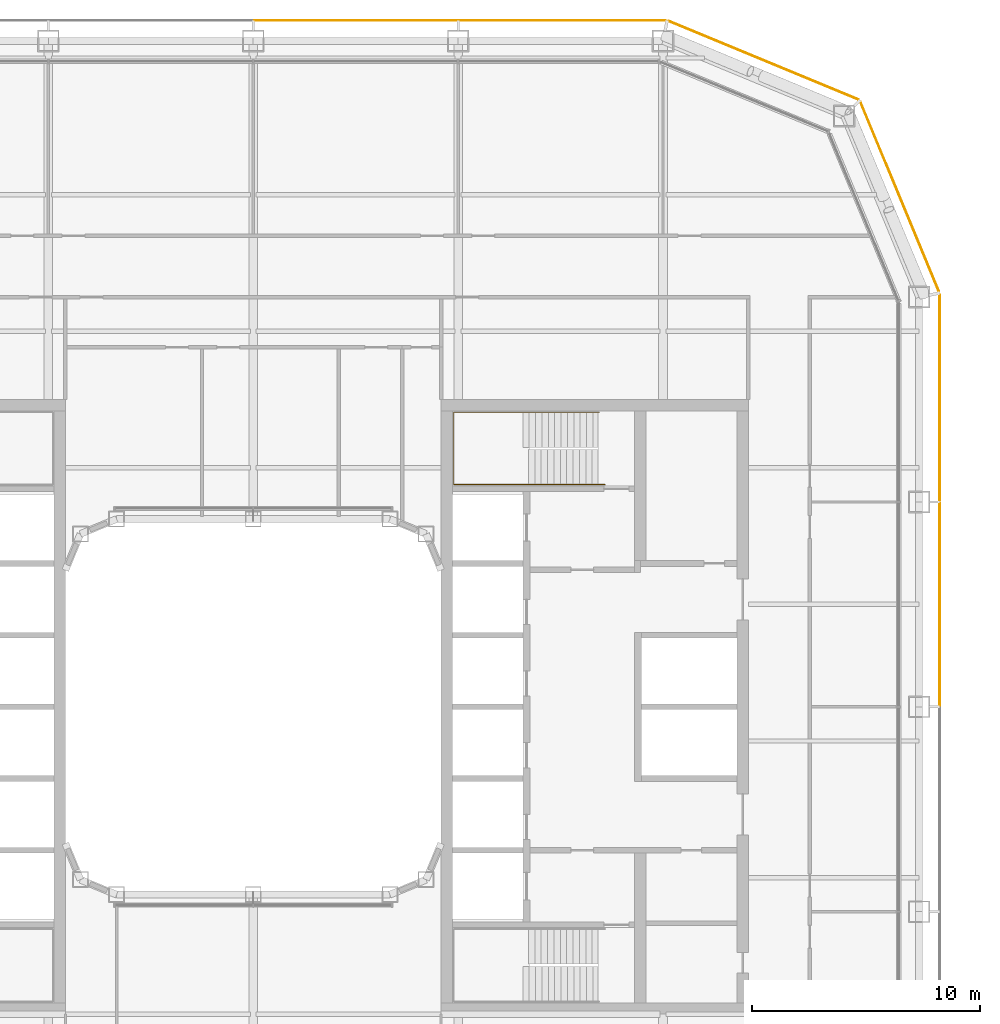
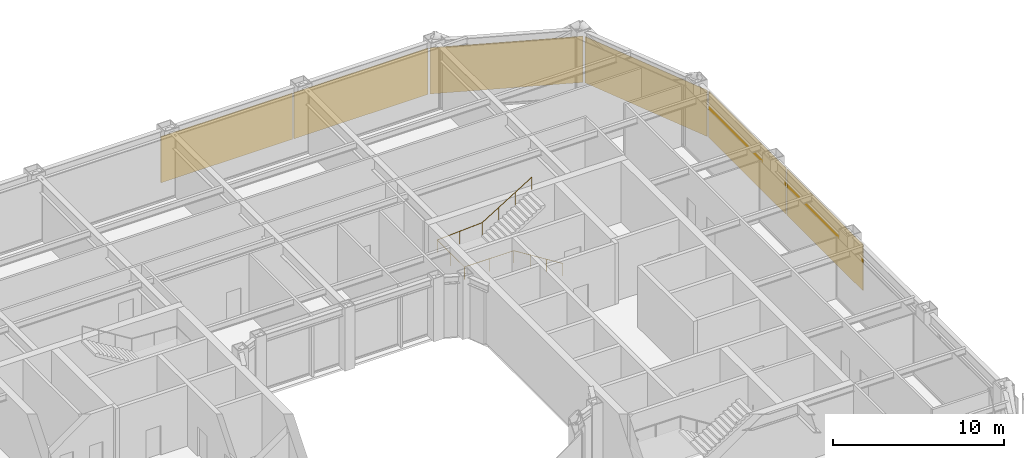
# One storey, part 22 of 23: 6 coverings, 1 railing.
"""IFC4 building model written with IfcOpenShell, lengths in metres."""

from ifc_helpers import new_model, si_unit, direction, frame, origin, origin_2d, place, context, subcontext, project, spatial, rectangle, circle, extrude, material, layer, layer_set, type_object, element, save


model = new_model("IFC4")

# Units and contexts
model_context = context("Model", 3, precision=1e-05, world=origin(), true_north=direction((0.0, 1.0)))
body_context = subcontext(model_context, "Body", "Model", "MODEL_VIEW")
ifc_project = project(units=[si_unit("LENGTHUNIT", "METRE"), si_unit("AREAUNIT", "SQUARE_METRE"), si_unit("VOLUMEUNIT", "CUBIC_METRE"), si_unit("PLANEANGLEUNIT", "RADIAN"), si_unit("MASSUNIT", "GRAM", prefix="KILO")], contexts=[model_context])

# Site, building, storey
site_placement = place(None, origin())
site = spatial("IfcSite", under=ifc_project, at=site_placement, CompositionType="ELEMENT")
building_placement = place(site_placement, origin())
building = spatial("IfcBuilding", under=site, at=building_placement, Name="Siwar Civic Tower", CompositionType="ELEMENT")
storey_placement = place(building_placement, frame((0.0, 0.0, 127.199951171875)))
storey = spatial("IfcBuildingStorey", under=building, at=storey_placement, Name="L27", CompositionType="ELEMENT", Elevation=127.199951171875)

# Railing
ifc_material_1 = material(Name="Stainless steel", Category="steel")
railing_type = type_object("IfcRailingType", Name="CORE-STAIR-HANDRAIL", PredefinedType="HANDRAIL", material=ifc_material_1)
railing_placement = place(storey_placement, frame((15.449951171875, 9.758056640625, 0.173095703125)))
element("IfcRailing", 1, at=railing_placement, inside=storey, type_object=railing_type, Name="Stair handrail ST3", PredefinedType="HANDRAIL", context=body_context, shape_type="SweptSolid", body=[
    extrude(circle(Radius=0.02001953125, at=origin_2d()), frame((0.0, 0.0, 0.8798828125), z_axis=(-0.847063342986, 0.0, 0.531491950051), x_axis=(0.0, -1.0, 0.0)), (0.0, 0.0, 1.0), 3.90771484375),
    extrude(circle(Radius=0.02001953125, at=origin_2d()), frame((-3.31005859375, 0.0, 2.956787109375), z_axis=(-1.0, 0.0, 0.0), x_axis=(0.0, -1.0, 0.0)), (0.0, 0.0, 1.0), 3.331787109375),
    extrude(circle(Radius=0.02001953125, at=origin_2d()), frame((-6.641845703125, 0.0, 2.956787109375), z_axis=(0.0, 1.0, 0.0), x_axis=(-1.0, 0.0, 0.0)), (0.0, 0.0, 1.0), 3.183837890625),
    extrude(circle(Radius=0.02001953125, at=origin_2d()), frame((-6.641845703125, 3.183837890625, 2.956787109375), z_axis=(0.99837434197, 0.0, 0.056997134106), x_axis=(0.0, 1.0, 0.0)), (0.0, 0.0, 1.0), 3.036865234375),
    extrude(circle(Radius=0.02001953125, at=origin_2d()), frame((-3.60986328125, 3.183837890625, 3.1298828125), z_axis=(0.850606129759, 0.0, 0.525803396734), x_axis=(0.0, 1.0, 0.0)), (0.0, 0.0, 1.0), 3.949951171875),
    extrude(circle(Radius=0.02001953125, at=origin_2d()), origin(), (0.0, 0.0, 1.0), 0.85986328125),
    extrude(circle(Radius=0.02001953125, at=origin_2d()), frame((-1.103271484375, 0.0, 0.6923828125)), (0.0, 0.0, 1.0), 0.85986328125),
    extrude(circle(Radius=0.02001953125, at=origin_2d()), frame((-2.206787109375, 0.0, 1.384521484375)), (0.0, 0.0, 1.0), 0.85986328125),
    extrude(circle(Radius=0.02001953125, at=origin_2d()), frame((-3.31005859375, 0.0, 2.076904296875)), (0.0, 0.0, 1.0), 0.85986328125),
    extrude(circle(Radius=0.02001953125, at=origin_2d()), frame((-4.97607421875, 0.0, 2.076904296875)), (0.0, 0.0, 1.0), 0.85986328125),
    extrude(circle(Radius=0.02001953125, at=origin_2d()), frame((-6.641845703125, 0.0, 2.076904296875)), (0.0, 0.0, 1.0), 0.85986328125),
    extrude(circle(Radius=0.02001953125, at=origin_2d()), frame((-6.641845703125, 1.591796875, 2.076904296875)), (0.0, 0.0, 1.0), 0.85986328125),
    extrude(circle(Radius=0.02001953125, at=origin_2d()), frame((-6.641845703125, 3.183837890625, 2.076904296875)), (0.0, 0.0, 1.0), 0.85986328125),
    extrude(circle(Radius=0.02001953125, at=origin_2d()), frame((-5.1259765625, 3.183837890625, 2.16357421875)), (0.0, 0.0, 1.0), 0.85986328125),
    extrude(circle(Radius=0.02001953125, at=origin_2d()), frame((-3.60986328125, 3.183837890625, 2.25)), (0.0, 0.0, 1.0), 0.85986328125),
    extrude(circle(Radius=0.02001953125, at=origin_2d()), frame((-2.489990234375, 3.183837890625, 2.9423828125)), (0.0, 0.0, 1.0), 0.85986328125),
    extrude(circle(Radius=0.02001953125, at=origin_2d()), frame((-1.369873046875, 3.183837890625, 3.634521484375)), (0.0, 0.0, 1.0), 0.85986328125),
    extrude(circle(Radius=0.02001953125, at=origin_2d()), frame((-0.25, 3.183837890625, 4.326904296875)), (0.0, 0.0, 1.0), 0.85986328125),
])

# Coverings
ifc_material_2 = material(Name="Perforated aluminium cassette, pale metal", Category="aluminium")
ifc_layer = layer(ifc_material_2, 0.0400390625)
ifc_layer_set = layer_set([ifc_layer], Name="Perforated aluminium cassette, pale metal")
covering_type = type_object("IfcCoveringType", Name="ENV-OUTER SKIN OS-1", PredefinedType="CLADDING", material=ifc_layer_set)
covering_1_placement = place(storey_placement, frame((30.14990234375, 4.5, -0.14990234375), z_axis=(0.0, 0.0, 1.0), x_axis=(0.0, 1.0, 0.0)))
element("IfcCovering", 2, at=covering_1_placement, inside=storey, type_object=covering_type, Name="OUTER SKIN OS-1 E 3", PredefinedType="CLADDING", context=body_context, shape_type="SweptSolid", body=[
    extrude(rectangle(XDim=8.89990234375, YDim=0.0400390625, at=origin_2d()), origin(), (0.0, 0.0, 1.0), 3.300048828125),
])
covering_2_placement = place(storey_placement, frame((30.14990234375, 13.57958984375, -0.14990234375), z_axis=(0.0, 0.0, 1.0), x_axis=(0.0, 1.0, 0.0)))
element("IfcCovering", 3, at=covering_2_placement, inside=storey, type_object=covering_type, Name="OUTER SKIN OS-1 E 4", PredefinedType="CLADDING", context=body_context, shape_type="SweptSolid", body=[
    extrude(rectangle(XDim=9.05908203125, YDim=0.0400390625, at=origin_2d()), origin(), (0.0, 0.0, 1.0), 3.300048828125),
])
for number, where, z_axis, x_axis, name in (
    (4, (28.39697265625, 22.411376953125, -0.14990234375), (0.0, 0.0, 1.0), (-0.382683432365, 0.923879532511, 0.0), "OUTER SKIN OS-1 NE1 1"),
    (5, (22.411376953125, 28.39697265625, -0.14990234375), (0.0, 0.0, 1.0), (-0.923879532511, 0.382683432365, 0.0), "OUTER SKIN OS-1 NE2 1"),
):
    element("IfcCovering", number, at=place(storey_placement, frame(where, z_axis=z_axis, x_axis=x_axis)), inside=storey, type_object=covering_type, Name=name, PredefinedType="CLADDING", context=body_context, shape_type="SweptSolid", body=[
        extrude(rectangle(XDim=9.022216796875, YDim=0.0400390625, at=origin_2d()), origin(), (0.0, 0.0, 1.0), 3.300048828125),
    ])
covering_3_placement = place(storey_placement, frame((13.57958984375, 30.14990234375, -0.14990234375), z_axis=(0.0, 0.0, 1.0), x_axis=(-1.0, 0.0, 0.0)))
element("IfcCovering", 6, at=covering_3_placement, inside=storey, type_object=covering_type, Name="OUTER SKIN OS-1 N 1", PredefinedType="CLADDING", context=body_context, shape_type="SweptSolid", body=[
    extrude(rectangle(XDim=9.05908203125, YDim=0.0400390625, at=origin_2d()), origin(), (0.0, 0.0, 1.0), 3.300048828125),
])
covering_4_placement = place(storey_placement, frame((4.5, 30.14990234375, -0.14990234375), z_axis=(0.0, 0.0, 1.0), x_axis=(-1.0, 0.0, 0.0)))
element("IfcCovering", 7, at=covering_4_placement, inside=storey, type_object=covering_type, Name="OUTER SKIN OS-1 N 2", PredefinedType="CLADDING", context=body_context, shape_type="SweptSolid", body=[
    extrude(rectangle(XDim=8.89990234375, YDim=0.0400390625, at=origin_2d()), origin(), (0.0, 0.0, 1.0), 3.300048828125),
])

save(model, "model.ifc")
